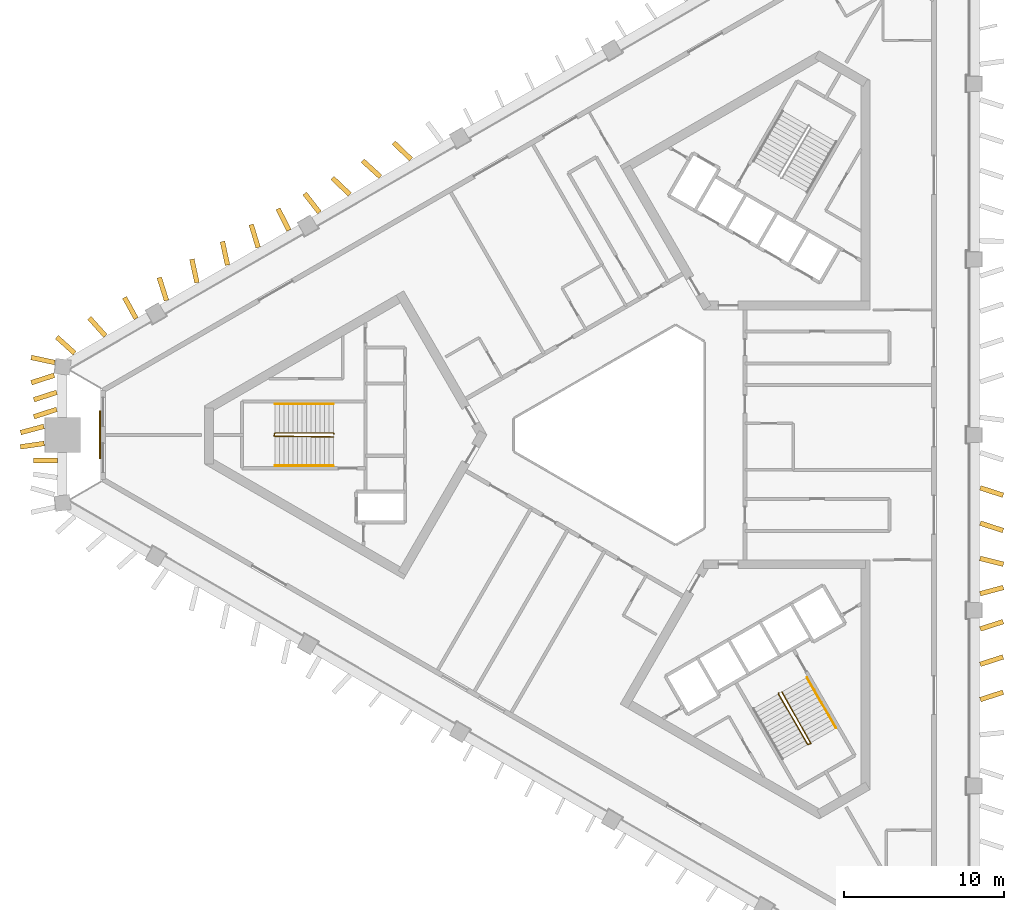
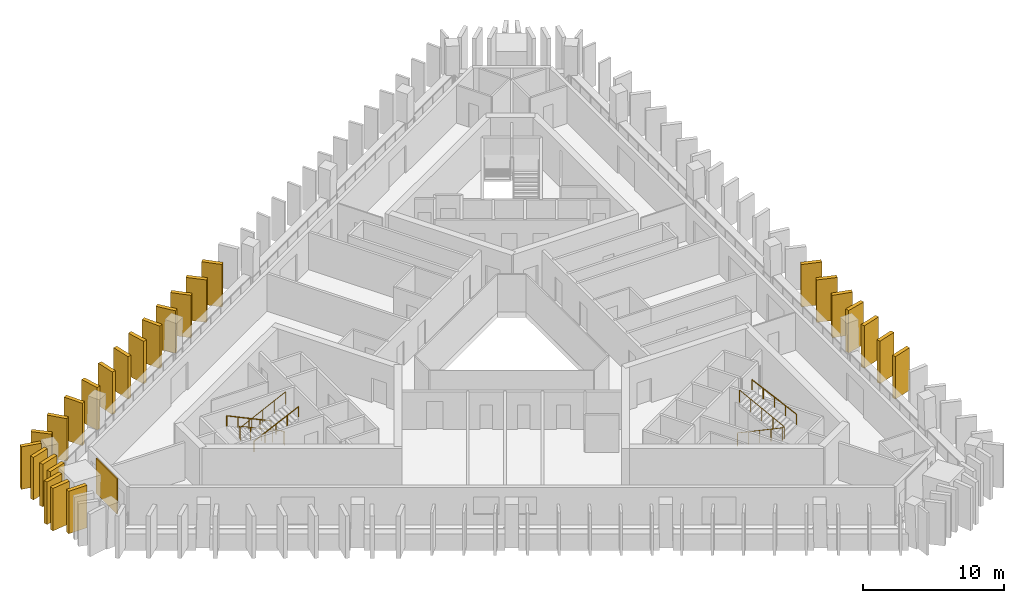
# One storey, part 8 of 10: 26 shading devices, 5 railings, 1 covering.
"""IFC4 building model written with IfcOpenShell, lengths in metres."""

from ifc_helpers import new_model, si_unit, direction, frame, frame_2d, origin, origin_2d, place, context, subcontext, project, spatial, rectangle, circle, extrude, material, layer, layer_set, type_object, element, save


model = new_model("IFC4")

# Units and contexts
model_context = context("Model", 3, precision=1e-05, world=origin(), true_north=direction((0.0, 1.0)))
body_context = subcontext(model_context, "Body", "Model", "MODEL_VIEW")
ifc_project = project(units=[si_unit("LENGTHUNIT", "METRE"), si_unit("AREAUNIT", "SQUARE_METRE"), si_unit("VOLUMEUNIT", "CUBIC_METRE"), si_unit("PLANEANGLEUNIT", "RADIAN"), si_unit("MASSUNIT", "GRAM", prefix="KILO")], contexts=[model_context])

# Site, building, storey
site_placement = place(None, origin())
site = spatial("IfcSite", under=ifc_project, at=site_placement, CompositionType="ELEMENT")
building_placement = place(site_placement, origin())
building = spatial("IfcBuilding", under=site, at=building_placement, Name="Jabali Bay Hotel Tower and Convention Centre", CompositionType="ELEMENT")
storey_placement = place(building_placement, frame((0.0, 0.0, 160.0)))
storey = spatial("IfcBuildingStorey", under=building, at=storey_placement, Name="L38", CompositionType="ELEMENT", Elevation=160.0)

# Shading devices
ifc_material_1 = material(Name="Precast concrete C60", Category="concrete")
ifc_layer_1 = layer(ifc_material_1, 0.300048828125)
ifc_layer_set_1 = layer_set([ifc_layer_1], Name="Precast concrete C60")
shading_device_type = type_object("IfcShadingDeviceType", Name="Precast fin 3680 x 1500", PredefinedType="USERDEFINED", material=ifc_layer_set_1)
for number, where, z_axis, x_axis, name in (
    (1, (96.763916015625, 63.4931640625, 0.010009765625), (0.0, 0.0, 1.0), (0.951777621698, 0.30678878538, 0.0), "Fin L38 005"),
    (2, (96.763916015625, 65.694091796875, 0.010009765625), (0.0, 0.0, 1.0), (0.951777621698, 0.30678878538, 0.0), "Fin L38 006"),
    (3, (96.763916015625, 67.89501953125, 0.010009765625), (0.0, 0.0, 1.0), (0.951777621698, 0.30678878538, 0.0), "Fin L38 007"),
):
    element("IfcShadingDevice", number, at=place(storey_placement, frame(where, z_axis=z_axis, x_axis=x_axis)), inside=storey, type_object=shading_device_type, Name=name, ObjectType="FIN", PredefinedType="USERDEFINED", context=body_context, shape_type="SweptSolid", body=[
        extrude(rectangle(XDim=1.5, YDim=0.300048828125, at=frame_2d((0.75, 0.0))), origin(), (0.0, 0.0, 1.0), 3.679931640625),
    ])
shading_device_1_placement = place(storey_placement, frame((96.756591796875, 70.095947265625, 0.010009765625), z_axis=(0.0, 0.0, 1.0), x_axis=(0.965896463051, 0.258928605344, 0.0)))
element("IfcShadingDevice", 4, at=shading_device_1_placement, inside=storey, type_object=shading_device_type, Name="Fin L38 008", ObjectType="FIN", PredefinedType="USERDEFINED", context=body_context, shape_type="SweptSolid", body=[
    extrude(rectangle(XDim=1.500244140625, YDim=0.300048828125, at=frame_2d((0.75, 0.0))), origin(), (0.0, 0.0, 1.0), 3.679931640625),
])
for number, where, z_axis, x_axis, name in (
    (5, (96.753662109375, 72.296875, 0.010009765625), (0.0, 0.0, 1.0), (0.970998023486, -0.239087511985, 0.0), "Fin L38 009"),
    (6, (96.763916015625, 74.497802734375, 0.010009765625), (0.0, 0.0, 1.0), (0.951777621698, -0.30678878538, 0.0), "Fin L38 010"),
    (7, (96.763916015625, 76.69873046875, 0.010009765625), (0.0, 0.0, 1.0), (0.951777621698, -0.30678878538, 0.0), "Fin L38 011"),
):
    element("IfcShadingDevice", number, at=place(storey_placement, frame(where, z_axis=z_axis, x_axis=x_axis)), inside=storey, type_object=shading_device_type, Name=name, ObjectType="FIN", PredefinedType="USERDEFINED", context=body_context, shape_type="SweptSolid", body=[
        extrude(rectangle(XDim=1.5, YDim=0.300048828125, at=frame_2d((0.75, 0.0))), origin(), (0.0, 0.0, 1.0), 3.679931640625),
    ])
shading_device_2_placement = place(storey_placement, frame((61.26123046875, 97.193603515625, 0.010009765625), z_axis=(0.0, 0.0, 1.0), x_axis=(-0.721283243185, 0.692640226308, 0.0)))
element("IfcShadingDevice", 8, at=shading_device_2_placement, inside=storey, type_object=shading_device_type, Name="Fin L38 048", ObjectType="FIN", PredefinedType="USERDEFINED", context=body_context, shape_type="SweptSolid", body=[
    extrude(rectangle(XDim=1.500244140625, YDim=0.300048828125, at=frame_2d((0.75, 0.0))), origin(), (0.0, 0.0, 1.0), 3.679931640625),
])
shading_device_3_placement = place(storey_placement, frame((59.353271484375, 96.096435546875, 0.010009765625), z_axis=(0.0, 0.0, 1.0), x_axis=(-0.739372763354, 0.673296306845, 0.0)))
element("IfcShadingDevice", 9, at=shading_device_3_placement, inside=storey, type_object=shading_device_type, Name="Fin L38 049", ObjectType="FIN", PredefinedType="USERDEFINED", context=body_context, shape_type="SweptSolid", body=[
    extrude(rectangle(XDim=1.5, YDim=0.300048828125, at=frame_2d((0.75, 0.0))), origin(), (0.0, 0.0, 1.0), 3.679931640625),
])
shading_device_4_placement = place(storey_placement, frame((57.44873046875, 94.993408203125, 0.010009765625), z_axis=(0.0, 0.0, 1.0), x_axis=(-0.724702747327, 0.689061628606, 0.0)))
element("IfcShadingDevice", 10, at=shading_device_4_placement, inside=storey, type_object=shading_device_type, Name="Fin L38 050", ObjectType="FIN", PredefinedType="USERDEFINED", context=body_context, shape_type="SweptSolid", body=[
    extrude(rectangle(XDim=1.500244140625, YDim=0.300048828125, at=frame_2d((0.75, 0.0))), origin(), (0.0, 0.0, 1.0), 3.679931640625),
])
for number, where, z_axis, x_axis, name in (
    (11, (55.553466796875, 93.8740234375, 0.010009765625), (0.0, 0.0, 1.0), (-0.614458842747, 0.788948877032, 0.0), "Fin L38 051"),
    (12, (53.65380859375, 92.762451171875, 0.010009765625), (0.0, 0.0, 1.0), (-0.453452707094, 0.891280338855, 0.0), "Fin L38 052"),
    (13, (51.73486328125, 91.6845703125, 0.010009765625), (0.0, 0.0, 1.0), (-0.291168092173, 0.95667190933, 0.0), "Fin L38 053"),
):
    element("IfcShadingDevice", number, at=place(storey_placement, frame(where, z_axis=z_axis, x_axis=x_axis)), inside=storey, type_object=shading_device_type, Name=name, ObjectType="FIN", PredefinedType="USERDEFINED", context=body_context, shape_type="SweptSolid", body=[
        extrude(rectangle(XDim=1.5, YDim=0.300048828125, at=frame_2d((0.75, 0.0))), origin(), (0.0, 0.0, 1.0), 3.679931640625),
    ])
shading_device_5_placement = place(storey_placement, frame((49.82275390625, 90.5947265625, 0.010009765625), z_axis=(0.0, 0.0, 1.0), x_axis=(-0.210307173215, 0.977635357838, 0.0)))
element("IfcShadingDevice", 14, at=shading_device_5_placement, inside=storey, type_object=shading_device_type, Name="Fin L38 054", ObjectType="FIN", PredefinedType="USERDEFINED", context=body_context, shape_type="SweptSolid", body=[
    extrude(rectangle(XDim=1.499755859375, YDim=0.300048828125, at=frame_2d((0.75, 0.0))), origin(), (0.0, 0.0, 1.0), 3.679931640625),
])
for number, where, z_axis, x_axis, name in (
    (15, (47.916748046875, 89.494140625, 0.010009765625), (0.0, 0.0, 1.0), (-0.210273710971, 0.977642555577, 0.0), "Fin L38 055"),
    (16, (46.017333984375, 88.382080078125, 0.010009765625), (0.0, 0.0, 1.0), (-0.300461380471, 0.953793981343, 0.0), "Fin L38 056"),
    (17, (44.126220703125, 87.255615234375, 0.010009765625), (0.0, 0.0, 1.0), (-0.484827442673, 0.87460982777, 0.0), "Fin L38 057"),
):
    element("IfcShadingDevice", number, at=place(storey_placement, frame(where, z_axis=z_axis, x_axis=x_axis)), inside=storey, type_object=shading_device_type, Name=name, ObjectType="FIN", PredefinedType="USERDEFINED", context=body_context, shape_type="SweptSolid", body=[
        extrude(rectangle(XDim=1.5, YDim=0.300048828125, at=frame_2d((0.75, 0.0))), origin(), (0.0, 0.0, 1.0), 3.679931640625),
    ])
shading_device_6_placement = place(storey_placement, frame((42.2060546875, 86.1796875, 0.010009765625), z_axis=(0.0, 0.0, 1.0), x_axis=(-0.667740994165, 0.744393689328, 0.0)))
element("IfcShadingDevice", 18, at=shading_device_6_placement, inside=storey, type_object=shading_device_type, Name="Fin L38 058", ObjectType="FIN", PredefinedType="USERDEFINED", context=body_context, shape_type="SweptSolid", body=[
    extrude(rectangle(XDim=1.500244140625, YDim=0.300048828125, at=frame_2d((0.75, 0.0))), origin(), (0.0, 0.0, 1.0), 3.679931640625),
])
for number, where, z_axis, x_axis, name in (
    (19, (40.29248046875, 85.09228515625, 0.010009765625), (0.0, 0.0, 1.0), (-0.741543490988, 0.670904800231, 0.0), "Fin L38 059"),
    (20, (39.018310546875, 83.7177734375, 0.010009765625), (0.0, 0.0, 1.0), (-0.951825135568, -0.306641339844, 0.0), "Fin L38 060"),
    (21, (39.17578125, 82.655517578125, 0.010009765625), (0.0, 0.0, 1.0), (-0.951825135568, -0.306641339844, 0.0), "Fin L38 061"),
    (22, (39.17578125, 81.59326171875, 0.010009765625), (0.0, 0.0, 1.0), (-0.951825135568, -0.306641339844, 0.0), "Fin L38 062"),
    (23, (38.370849609375, 80.531005859375, 0.010009765625), (0.0, 0.0, 1.0), (-0.966496484243, -0.25667985107, 0.0), "Fin L38 063"),
    (24, (38.38818359375, 79.468994140625, 0.010009765625), (0.0, 0.0, 1.0), (-0.990017733678, -0.140942850134, 0.0), "Fin L38 064"),
    (25, (39.22119140625, 78.40673828125, 0.010009765625), (0.0, 0.0, 1.0), (-0.999990344187, -0.004394488817, 0.0), "Fin L38 065"),
    (26, (39.04833984375, 84.5146484375, 0.010009765625), (0.0, 0.0, 1.0), (-0.977642555577, 0.210273710971, 0.0), "Fin L38 105"),
):
    element("IfcShadingDevice", number, at=place(storey_placement, frame(where, z_axis=z_axis, x_axis=x_axis)), inside=storey, type_object=shading_device_type, Name=name, ObjectType="FIN", PredefinedType="USERDEFINED", context=body_context, shape_type="SweptSolid", body=[
        extrude(rectangle(XDim=1.5, YDim=0.300048828125, at=frame_2d((0.75, 0.0))), origin(), (0.0, 0.0, 1.0), 3.679931640625),
    ])

# Covering
ifc_material_2 = material(Name="Precast concrete C40/50", Category="concrete")
ifc_layer_2 = layer(ifc_material_2, 0.080078125)
ifc_layer_set_2 = layer_set([ifc_layer_2], Name="Precast concrete C40/50")
covering_type = type_object("IfcCoveringType", Name="Relief panel 3000 x 3050", PredefinedType="CLADDING", material=ifc_layer_set_2)
covering_placement = place(storey_placement, frame((41.86865234375, 80.0, 0.10009765625), z_axis=(0.0, 0.0, 1.0), x_axis=(0.0, 1.0, 0.0)))
element("IfcCovering", 27, at=covering_placement, inside=storey, type_object=covering_type, Name="Relief panel L38", PredefinedType="CLADDING", context=body_context, shape_type="SweptSolid", body=[
    extrude(rectangle(XDim=3.0, YDim=0.080078125, at=origin_2d()), origin(), (0.0, 0.0, 1.0), 3.050048828125),
])

# Railings
ifc_material_3 = material(Name="Steel Q355B", Category="steel")
railing_type_1 = type_object("IfcRailingType", Name="Stair guard 1100", PredefinedType="GUARDRAIL", material=ifc_material_3)
railing_1_placement = place(storey_placement, frame((56.469970703125, 80.074951171875, 0.0)))
element("IfcRailing", 28, at=railing_1_placement, inside=storey, type_object=railing_type_1, Name="L38 ST1 stair guard 1", PredefinedType="GUARDRAIL", context=body_context, shape_type="SweptSolid", body=[
    extrude(circle(Radius=0.02392578125, at=origin_2d()), frame((0.0, 0.0, 1.076171875), z_axis=(-0.333993628408, 0.333993628408, 0.881417331555), x_axis=(-0.707106781187, -0.707106781187, 0.0)), (0.0, 0.0, 1.0), 0.14990234375),
    extrude(circle(Radius=0.02392578125, at=origin_2d()), frame((-0.050048828125, 0.050048828125, 1.2080078125), z_axis=(-0.904327350853, 0.0, 0.426839598092), x_axis=(0.0, -1.0, 0.0)), (0.0, 0.0, 1.0), 4.02490234375),
    extrude(circle(Radius=0.02392578125, at=origin_2d()), frame((-3.68994140625, 0.050048828125, 2.92626953125), z_axis=(-0.242814311512, -0.970072785993, 0.0), x_axis=(0.970072785993, -0.242814311512, 0.0)), (0.0, 0.0, 1.0), 0.2060546875),
    extrude(circle(Radius=0.02392578125, at=origin_2d()), frame((-3.739990234375, -0.14990234375, 2.92626953125), z_axis=(0.893887803671, -0.012124321804, 0.4481267625), x_axis=(0.013562335953, 0.999908027292, 0.0)), (0.0, 0.0, 1.0), 4.1279296875),
    extrude(circle(Radius=0.02099609375, at=origin_2d()), origin(), (0.0, 0.0, 1.0), 1.052001953125),
    extrude(circle(Radius=0.02099609375, at=origin_2d()), frame((-0.050048828125, 0.050048828125, 0.132080078125)), (0.0, 0.0, 1.0), 1.052001953125),
    extrude(circle(Radius=0.02099609375, at=origin_2d()), frame((-0.9599609375, 0.050048828125, 0.5615234375)), (0.0, 0.0, 1.0), 1.052001953125),
    extrude(circle(Radius=0.02099609375, at=origin_2d()), frame((-1.8701171875, 0.050048828125, 0.9912109375)), (0.0, 0.0, 1.0), 1.052001953125),
    extrude(circle(Radius=0.02099609375, at=origin_2d()), frame((-2.780029296875, 0.050048828125, 1.420654296875)), (0.0, 0.0, 1.0), 1.052001953125),
    extrude(circle(Radius=0.02099609375, at=origin_2d()), frame((-3.68994140625, 0.050048828125, 1.85009765625)), (0.0, 0.0, 1.0), 1.052001953125),
    extrude(circle(Radius=0.02099609375, at=origin_2d()), frame((-3.739990234375, -0.14990234375, 1.85009765625)), (0.0, 0.0, 1.0), 1.052001953125),
    extrude(circle(Radius=0.02099609375, at=origin_2d()), frame((-2.8173828125, -0.162353515625, 2.3125)), (0.0, 0.0, 1.0), 1.052001953125),
    extrude(circle(Radius=0.02099609375, at=origin_2d()), frame((-1.89501953125, -0.1748046875, 2.77490234375)), (0.0, 0.0, 1.0), 1.052001953125),
    extrude(circle(Radius=0.02099609375, at=origin_2d()), frame((-0.97265625, -0.1875, 3.237548828125)), (0.0, 0.0, 1.0), 1.052001953125),
    extrude(circle(Radius=0.02099609375, at=origin_2d()), frame((-0.050048828125, -0.199951171875, 3.699951171875)), (0.0, 0.0, 1.0), 1.052001953125),
])
railing_2_placement = place(storey_placement, frame((84.199951171875, 63.9150390625, 0.0)))
element("IfcRailing", 29, at=railing_2_placement, inside=storey, type_object=railing_type_1, Name="L38 ST3 stair guard 1", PredefinedType="GUARDRAIL", context=body_context, shape_type="SweptSolid", body=[
    extrude(circle(Radius=0.02392578125, at=origin_2d()), frame((0.0, 0.0, 1.076171875), z_axis=(-0.122196845461, -0.456201556387, 0.881446578591), x_axis=(0.965948051503, -0.258736085224, 0.0)), (0.0, 0.0, 1.0), 0.14990234375),
    extrude(circle(Radius=0.02392578125, at=origin_2d()), frame((-0.018310546875, -0.068359375, 1.2080078125), z_axis=(0.45217862506, -0.783169739339, 0.426825081763), x_axis=(0.866018046521, 0.500012742938, 0.0)), (0.0, 0.0, 1.0), 4.025146484375),
    extrude(circle(Radius=0.02392578125, at=origin_2d()), frame((1.8017578125, -3.220703125, 2.92626953125), z_axis=(0.96121063429, 0.275815366736, 0.0), x_axis=(-0.275815366736, 0.96121063429, 0.0)), (0.0, 0.0, 1.0), 0.206298828125),
    extrude(circle(Radius=0.02392578125, at=origin_2d()), frame((2.0, -3.163818359375, 2.92626953125), z_axis=(-0.436481798955, 0.780166857725, 0.448133142368), x_axis=(-0.872702246529, -0.488252792008, 0.0)), (0.0, 0.0, 1.0), 4.1279296875),
    extrude(circle(Radius=0.02099609375, at=origin_2d()), origin(), (0.0, 0.0, 1.0), 1.052001953125),
    extrude(circle(Radius=0.02099609375, at=origin_2d()), frame((-0.018310546875, -0.068359375, 0.132080078125)), (0.0, 0.0, 1.0), 1.052001953125),
    extrude(circle(Radius=0.02099609375, at=origin_2d()), frame((0.436767578125, -0.8564453125, 0.5615234375)), (0.0, 0.0, 1.0), 1.052001953125),
    extrude(circle(Radius=0.02099609375, at=origin_2d()), frame((0.8916015625, -1.64453125, 0.9912109375)), (0.0, 0.0, 1.0), 1.052001953125),
    extrude(circle(Radius=0.02099609375, at=origin_2d()), frame((1.3466796875, -2.4326171875, 1.420654296875)), (0.0, 0.0, 1.0), 1.052001953125),
    extrude(circle(Radius=0.02099609375, at=origin_2d()), frame((1.8017578125, -3.220703125, 1.85009765625)), (0.0, 0.0, 1.0), 1.052001953125),
    extrude(circle(Radius=0.02099609375, at=origin_2d()), frame((2.0, -3.163818359375, 1.85009765625)), (0.0, 0.0, 1.0), 1.052001953125),
    extrude(circle(Radius=0.02099609375, at=origin_2d()), frame((1.549560546875, -2.358642578125, 2.3125)), (0.0, 0.0, 1.0), 1.052001953125),
    extrude(circle(Radius=0.02099609375, at=origin_2d()), frame((1.09912109375, -1.5537109375, 2.77490234375)), (0.0, 0.0, 1.0), 1.052001953125),
    extrude(circle(Radius=0.02099609375, at=origin_2d()), frame((0.648681640625, -0.74853515625, 3.237548828125)), (0.0, 0.0, 1.0), 1.052001953125),
    extrude(circle(Radius=0.02099609375, at=origin_2d()), frame((0.1982421875, 0.056640625, 3.699951171875)), (0.0, 0.0, 1.0), 1.052001953125),
])
railing_type_2 = type_object("IfcRailingType", Name="Stair handrail 900", PredefinedType="HANDRAIL", material=ifc_material_3)
railing_3_placement = place(storey_placement, frame((56.419921875, 81.925048828125, 0.132080078125)))
element("IfcRailing", 30, at=railing_3_placement, inside=storey, type_object=railing_type_2, Name="L38 ST1 stair handrail 1", PredefinedType="HANDRAIL", context=body_context, shape_type="SweptSolid", body=[
    extrude(circle(Radius=0.02392578125, at=origin_2d()), frame((0.0, 0.0, 0.8759765625), z_axis=(-0.904327350853, 0.0, 0.426839598092), x_axis=(0.0, -1.0, 0.0)), (0.0, 0.0, 1.0), 4.02490234375),
    extrude(circle(Radius=0.02099609375, at=origin_2d()), origin(), (0.0, 0.0, 1.0), 0.851806640625),
    extrude(circle(Radius=0.02099609375, at=origin_2d()), frame((-0.909912109375, 0.0, 0.429443359375)), (0.0, 0.0, 1.0), 0.851806640625),
    extrude(circle(Radius=0.02099609375, at=origin_2d()), frame((-1.81982421875, 0.0, 0.85888671875)), (0.0, 0.0, 1.0), 0.851806640625),
    extrude(circle(Radius=0.02099609375, at=origin_2d()), frame((-2.72998046875, 0.0, 1.28857421875)), (0.0, 0.0, 1.0), 0.851806640625),
    extrude(circle(Radius=0.02099609375, at=origin_2d()), frame((-3.639892578125, 0.0, 1.718017578125)), (0.0, 0.0, 1.0), 0.851806640625),
])
railing_4_placement = place(storey_placement, frame((52.780029296875, 78.074951171875, 1.982177734375)))
element("IfcRailing", 31, at=railing_4_placement, inside=storey, type_object=railing_type_2, Name="L38 ST1 stair handrail 2", PredefinedType="HANDRAIL", context=body_context, shape_type="SweptSolid", body=[
    extrude(circle(Radius=0.02392578125, at=origin_2d()), frame((0.0, 0.0, 0.8759765625), z_axis=(0.904350763662, 0.0, 0.426789990819), x_axis=(0.0, 1.0, 0.0)), (0.0, 0.0, 1.0), 4.02490234375),
    extrude(circle(Radius=0.02099609375, at=origin_2d()), origin(), (0.0, 0.0, 1.0), 0.851806640625),
    extrude(circle(Radius=0.02099609375, at=origin_2d()), frame((0.909912109375, 0.0, 0.429443359375)), (0.0, 0.0, 1.0), 0.851806640625),
    extrude(circle(Radius=0.02099609375, at=origin_2d()), frame((1.81982421875, 0.0, 0.85888671875)), (0.0, 0.0, 1.0), 0.851806640625),
    extrude(circle(Radius=0.02099609375, at=origin_2d()), frame((2.72998046875, 0.0, 1.288330078125)), (0.0, 0.0, 1.0), 0.851806640625),
    extrude(circle(Radius=0.02099609375, at=origin_2d()), frame((3.639892578125, 0.0, 1.7177734375)), (0.0, 0.0, 1.0), 0.851806640625),
])
railing_5_placement = place(storey_placement, frame((87.777099609375, 61.719482421875, 1.982177734375)))
element("IfcRailing", 32, at=railing_5_placement, inside=storey, type_object=railing_type_2, Name="L38 ST3 stair handrail 2", PredefinedType="HANDRAIL", context=body_context, shape_type="SweptSolid", body=[
    extrude(circle(Radius=0.02392578125, at=origin_2d()), frame((0.0, 0.0, 0.8759765625), z_axis=(-0.452190331055, 0.783190014029, 0.426775475427), x_axis=(-0.866018046521, -0.500012742938, 0.0)), (0.0, 0.0, 1.0), 4.02490234375),
    extrude(circle(Radius=0.02099609375, at=origin_2d()), origin(), (0.0, 0.0, 1.0), 0.851806640625),
    extrude(circle(Radius=0.02099609375, at=origin_2d()), frame((-0.455078125, 0.7880859375, 0.429443359375)), (0.0, 0.0, 1.0), 0.851806640625),
    extrude(circle(Radius=0.02099609375, at=origin_2d()), frame((-0.91015625, 1.576171875, 0.85888671875)), (0.0, 0.0, 1.0), 0.851806640625),
    extrude(circle(Radius=0.02099609375, at=origin_2d()), frame((-1.364990234375, 2.3642578125, 1.288330078125)), (0.0, 0.0, 1.0), 0.851806640625),
    extrude(circle(Radius=0.02099609375, at=origin_2d()), frame((-1.820068359375, 3.15234375, 1.7177734375)), (0.0, 0.0, 1.0), 0.851806640625),
])

save(model, "model.ifc")
